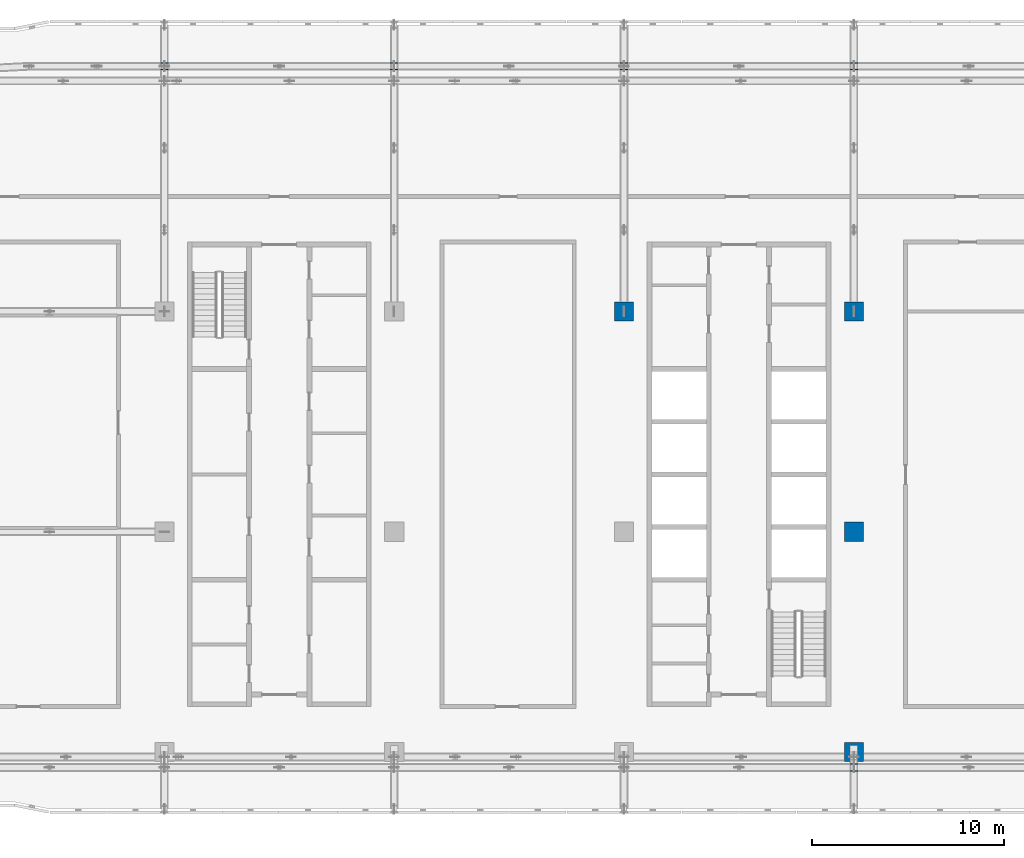
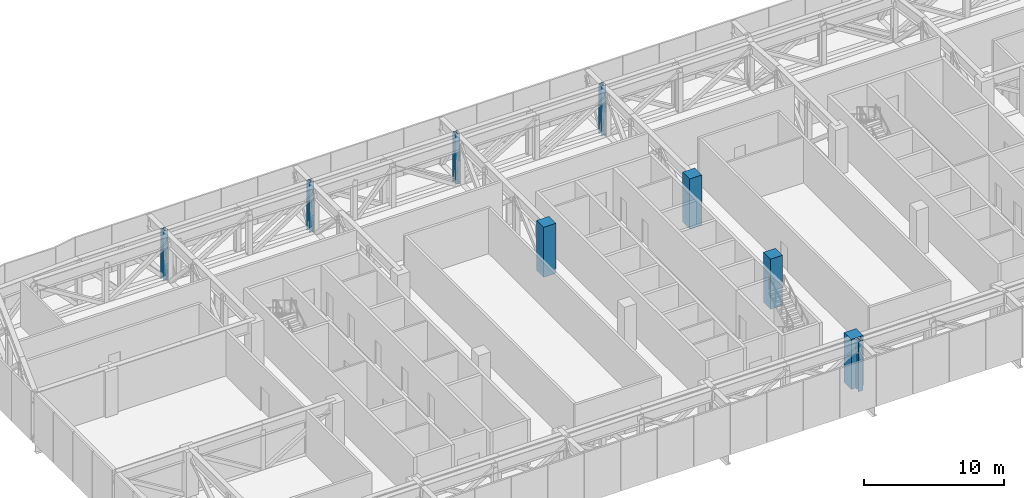
# One storey, part 2 of 29: 9 columns.
"""IFC4 building model written with IfcOpenShell, lengths in metres."""

from ifc_helpers import new_model, si_unit, direction, frame, origin, origin_2d, place, context, subcontext, project, spatial, rectangle, i_section, extrude, material, material_profile, profile_set, type_object, element, save


model = new_model("IFC4")

# Units and contexts
model_context = context("Model", 3, precision=1e-05, world=origin(), true_north=direction((0.0, 1.0)))
body_context = subcontext(model_context, "Body", "Model", "MODEL_VIEW")
ifc_project = project(units=[si_unit("LENGTHUNIT", "METRE"), si_unit("AREAUNIT", "SQUARE_METRE"), si_unit("VOLUMEUNIT", "CUBIC_METRE"), si_unit("PLANEANGLEUNIT", "RADIAN"), si_unit("MASSUNIT", "GRAM", prefix="KILO")], contexts=[model_context])

# Site, building, storey
site_placement = place(None, origin())
site = spatial("IfcSite", under=ifc_project, at=site_placement, CompositionType="ELEMENT")
building_placement = place(site_placement, origin())
building = spatial("IfcBuilding", under=site, at=building_placement, Name="Mahtab Terrace Research Tower", CompositionType="ELEMENT")
storey_placement = place(building_placement, frame((0.0, 0.0, 259.0)))
storey = spatial("IfcBuildingStorey", under=building, at=storey_placement, Name="L63", CompositionType="ELEMENT", Elevation=259.0)

# Columns
ifc_material_1 = material(Name="Concrete C70/85", Category="concrete")
ifc_material_profile_1 = material_profile(ifc_material_1, rectangle(XDim=1.0, YDim=1.0, at=origin_2d()), Name="RC column 1000x1000")
ifc_profile_set_1 = profile_set([ifc_material_profile_1], Name="Concrete C70/85")
column_type_1 = type_object("IfcColumnType", Name="RC column 1000x1000", PredefinedType="COLUMN", material=ifc_profile_set_1)
for number, where, z_axis, x_axis, name in (
    (1, (-6.0, 11.5, -0.39990234375), (0.0, 0.0, 1.0), (1.0, 0.0, 0.0), "Column RC-4C L63"),
    (2, (6.0, -11.5, -0.39990234375), (0.0, 0.0, 1.0), (1.0, 0.0, 0.0), "Column RC-5A L63"),
    (3, (6.0, 0.0, -0.39990234375), (0.0, 0.0, 1.0), (1.0, 0.0, 0.0), "Column RC-5B L63"),
    (4, (6.0, 11.5, -0.39990234375), (0.0, 0.0, 1.0), (1.0, 0.0, 0.0), "Column RC-5C L63"),
):
    element("IfcColumn", number, at=place(storey_placement, frame(where, z_axis=z_axis, x_axis=x_axis)), inside=storey, type_object=column_type_1, Name=name, PredefinedType="COLUMN", context=body_context, shape_type="SweptSolid", body=[
        extrude(rectangle(XDim=1.0, YDim=1.0, at=origin_2d()), origin(), (0.0, 0.0, 1.0), 4.35986328125),
    ])
ifc_material_2 = material(Name="Steel ASTM A992 Gr 50", Category="steel")
ifc_material_profile_2 = material_profile(ifc_material_2, i_section(OverallWidth=0.393798828125, OverallDepth=0.3759765625, WebThickness=0.017333984375, FlangeThickness=0.027587890625, at=origin_2d()), Name="W14X145")
ifc_profile_set_2 = profile_set([ifc_material_profile_2], Name="Steel ASTM A992 Gr 50")
column_type_2 = type_object("IfcColumnType", Name="W14x145 column CS14145", PredefinedType="COLUMN", material=ifc_profile_set_2)
for number, where, z_axis, x_axis, name in (
    (5, (6.0, 24.306884765625, -0.39990234375), (0.0, 0.0, 1.0), (1.0, 0.0, 0.0), "Column SC-074 L63"),
    (6, (-6.0, 24.306884765625, -0.39990234375), (0.0, 0.0, 1.0), (1.0, 0.0, 0.0), "Column SC-075 L63"),
    (7, (-18.0, 24.306884765625, -0.39990234375), (0.0, 0.0, 1.0), (1.0, 0.0, 0.0), "Column SC-076 L63"),
    (8, (-30.0, 24.306884765625, -0.39990234375), (0.0, 0.0, 1.0), (1.0, 0.0, 0.0), "Column SC-077 L63"),
    (9, (6.0, -12.306884765625, -0.39990234375), (0.0, 0.0, 1.0), (1.0, 0.0, 0.0), "Column SC-085 L63"),
):
    element("IfcColumn", number, at=place(storey_placement, frame(where, z_axis=z_axis, x_axis=x_axis)), inside=storey, type_object=column_type_2, Name=name, PredefinedType="COLUMN", context=body_context, shape_type="SweptSolid", body=[
        extrude(i_section(OverallWidth=0.393798828125, OverallDepth=0.3759765625, WebThickness=0.017333984375, FlangeThickness=0.027587890625, at=origin_2d()), origin(), (0.0, 0.0, 1.0), 4.35986328125),
    ])

save(model, "model.ifc")
